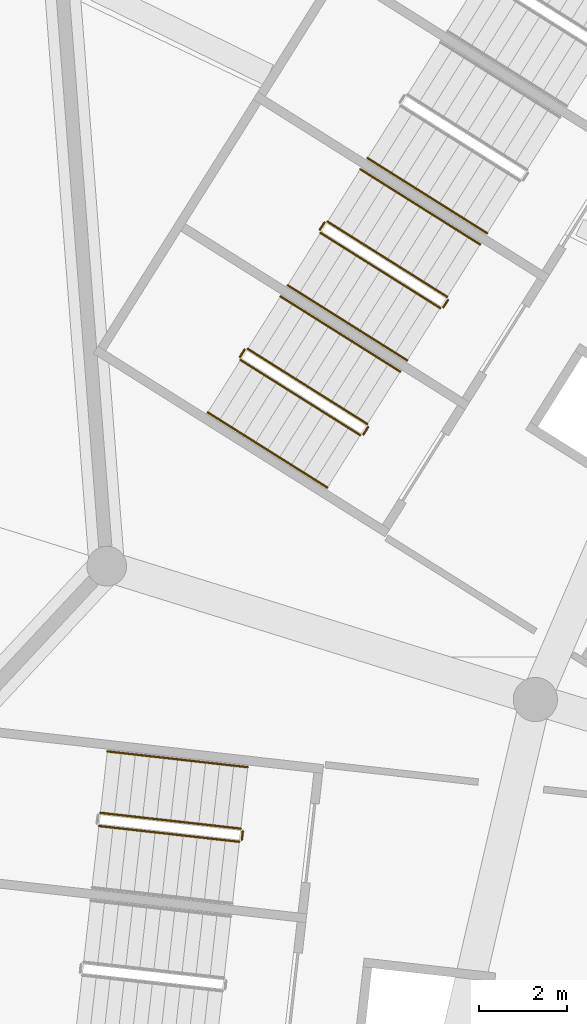
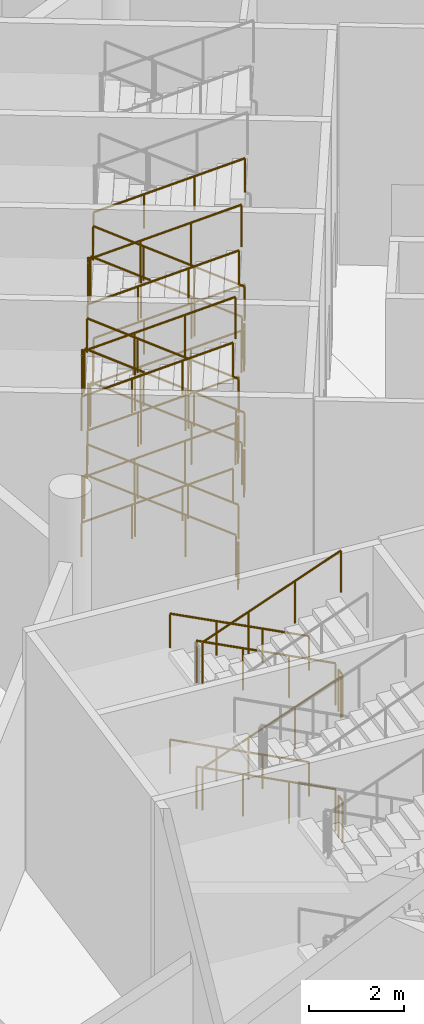
# One storey, part 227 of 255: 34 railings.
"""IFC4 building model written with IfcOpenShell, lengths in metres."""

import ifcopenshell
import ifcopenshell.guid

model = None  # the IFC model being written
_history = None  # IfcOwnerHistory: only IFC2X3 demands one
_inside = {}  # id of a spatial element -> (the spatial element, [elements in it])
_under = {}  # id of a project, library or spatial element -> (it, [spatial elements below it])
_declared = {}  # id of a project -> (the project, [libraries it declares])
_typed = {}  # id of a type object -> (the type object, [elements of that type])
_made_of = {}  # id of a material, layer set ... -> (it, [elements and type objects made of it])


def new_model(schema):
    """Start an empty IFC model of exactly this schema.

    Asked for "IFC4X3", IfcOpenShell would pick the latest addendum, in which some entities
    have other attributes; the version numbers below select the first issue.
    IFC2X3 requires an IfcOwnerHistory on every rooted entity: one is made here for all.
    """
    global model, _history
    if schema == "IFC4X3":
        model = ifcopenshell.file(schema_version=(4, 3, 0, 0))
    else:
        model = ifcopenshell.file(schema=schema)
    _inside.clear()
    _under.clear()
    _declared.clear()
    _typed.clear()
    _made_of.clear()
    _history = None
    if model.schema == "IFC2X3":
        org = make("IfcOrganization", Name="unknown")
        user = make(
            "IfcPersonAndOrganization",
            ThePerson=make("IfcPerson", FamilyName="unknown"),
            TheOrganization=org,
        )
        app = make(
            "IfcApplication",
            ApplicationDeveloper=org,
            Version="unknown",
            ApplicationFullName="unknown",
            ApplicationIdentifier="unknown",
        )
        _history = make(
            "IfcOwnerHistory",
            OwningUser=user,
            OwningApplication=app,
            ChangeAction="ADDED",
            CreationDate=0,
        )
    return model


def make(cls, **values):
    """One entity of the class cls with the attributes given. An attribute that is None is left unset."""
    return model.create_entity(
        cls, **{name: value for name, value in values.items() if value is not None}
    )


def rooted(cls, **values):
    """An entity with a GlobalId (a new one), such as an element, a storey or a relation."""
    return make(cls, GlobalId=ifcopenshell.guid.new(), OwnerHistory=_history, **values)


def si_unit(unit_type, name, prefix=None):
    """IfcSIUnit, for example si_unit("LENGTHUNIT", "METRE", prefix="MILLI")."""
    return make("IfcSIUnit", UnitType=unit_type, Prefix=prefix, Name=name)


def assignment(units):
    """IfcUnitAssignment: the units of a project."""
    return None if units is None else make("IfcUnitAssignment", Units=units)


def point(xyz):
    """IfcCartesianPoint."""
    return None if xyz is None else make("IfcCartesianPoint", Coordinates=xyz)


def direction(xyz):
    """IfcDirection."""
    return None if xyz is None else make("IfcDirection", DirectionRatios=xyz)


def frame(location, z_axis=None, x_axis=None):
    """IfcAxis2Placement3D, a coordinate frame: its origin and axes. An axis left out is left unset."""
    return make(
        "IfcAxis2Placement3D",
        Location=point(location),
        Axis=direction(z_axis),
        RefDirection=direction(x_axis),
    )


def frame_2d(location, x_axis=None):
    """IfcAxis2Placement2D, a coordinate frame in the plane: its origin and x axis."""
    return make(
        "IfcAxis2Placement2D", Location=point(location), RefDirection=direction(x_axis)
    )


def origin():
    """The frame at (0, 0, 0) with its axes left unset."""
    return frame((0.0, 0.0, 0.0))


def origin_2d():
    """The frame at (0, 0) in the plane with its x axis left unset."""
    return frame_2d((0.0, 0.0))


def place(relative_to, where):
    """IfcLocalPlacement: puts the frame where relative to a parent placement (None: the world)."""
    return make(
        "IfcLocalPlacement", PlacementRelTo=relative_to, RelativePlacement=where
    )


def context(
    kind, dimensions, precision=None, world=None, true_north=None, identifier=None
):
    """IfcGeometricRepresentationContext, for example the 3D "Model" context."""
    return make(
        "IfcGeometricRepresentationContext",
        ContextIdentifier=identifier,
        ContextType=kind,
        CoordinateSpaceDimension=dimensions,
        Precision=precision,
        WorldCoordinateSystem=world,
        TrueNorth=true_north,
    )


def subcontext(parent, identifier, kind, view, scale=None):
    """IfcGeometricRepresentationSubContext, for example "Body" below "Model"."""
    return make(
        "IfcGeometricRepresentationSubContext",
        ContextIdentifier=identifier,
        ContextType=kind,
        ParentContext=parent,
        TargetScale=scale,
        TargetView=view,
    )


def project(units=None, contexts=None):
    """IfcProject with its units and contexts."""
    return rooted(
        "IfcProject",
        Name="project",
        RepresentationContexts=contexts,
        UnitsInContext=assignment(units),
    )


def spatial(cls, under=None, at=None, **own):
    """A site, building, storey or space (cls), placed at a placement, below another one or the project."""
    s = rooted(cls, ObjectPlacement=at, **own)
    if under is not None:
        _under.setdefault(under.id(), (under, []))[1].append(s)
    return s


def profile(cls, at=None, kind="AREA", **sizes):
    """A parametric profile (cls). Its sizes go by their IFC names, for example OverallWidth=200.0."""
    return make(cls, ProfileType=kind, Position=at, **sizes)


def circle(**sizes):
    """IfcCircleProfileDef."""
    return profile("IfcCircleProfileDef", **sizes)


def extrude(swept, where, along, depth):
    """IfcExtrudedAreaSolid: the profile swept, set in the frame where, extruded along a direction by depth."""
    return make(
        "IfcExtrudedAreaSolid",
        SweptArea=swept,
        Position=where,
        ExtrudedDirection=direction(along),
        Depth=depth,
    )


def shape(context_of_items, identifier, shape_type, items):
    """IfcShapeRepresentation: the items that make up one representation, for example the "Body"."""
    return make(
        "IfcShapeRepresentation",
        ContextOfItems=context_of_items,
        RepresentationIdentifier=identifier,
        RepresentationType=shape_type,
        Items=items,
    )


def material(Name=None, Category=None):
    """IfcMaterial."""
    return make("IfcMaterial", Name=Name, Category=Category)


def made_of(thing, what):
    """Note that an element or type object is made of a material, layer set ...; save() writes the relation."""
    if what is not None:
        _made_of.setdefault(what.id(), (what, []))[1].append(thing)
    return thing


def type_object(cls, material=None, **own):
    """A type object (cls), such as IfcWallType, which elements share."""
    return made_of(rooted(cls, **own), material)


def element(
    cls,
    number,
    at=None,
    inside=None,
    cuts=None,
    type_object=None,
    material=None,
    context=None,
    identifier="Body",
    shape_type=None,
    held_by="IfcProductDefinitionShape",
    body=None,
    shapes=None,
    **own,
):
    """One element of the class cls, such as IfcWall. Its Tag is "e" and its number.

    at: its placement. inside: the storey or other place that contains it. cuts: it is an
    opening in that element (IfcRelVoidsElement). A single representation is given by context,
    identifier, shape_type and body (its items); several are given by shapes. held_by: the class
    of the entity that holds the representations. save() writes the other relations.
    """
    e = rooted(cls, Tag="e%d" % number, ObjectPlacement=at, **own)
    if body is not None:
        shapes = [shape(context, identifier, shape_type, body)]
    if shapes is not None:
        e.Representation = make(held_by, Representations=shapes)
    if inside is not None:
        _inside.setdefault(inside.id(), (inside, []))[1].append(e)
    if cuts is not None:
        rooted(
            "IfcRelVoidsElement", RelatingBuildingElement=cuts, RelatedOpeningElement=e
        )
    if type_object is not None:
        _typed.setdefault(type_object.id(), (type_object, []))[1].append(e)
    return made_of(e, material)


def aggregate(whole, parts):
    """IfcRelAggregates: a whole, such as a stair, and the parts it consists of."""
    return rooted("IfcRelAggregates", RelatingObject=whole, RelatedObjects=parts)


def save(model, path):
    """Write the relations noted so far, then the file.

    IfcRelAggregates (storeys below a building ...), IfcRelContainedInSpatialStructure (elements
    in a storey), IfcRelDefinesByType, IfcRelAssociatesMaterial and IfcRelDeclares: one each for
    every whole, place, type object, material and project.
    """
    for whole, parts in _under.values():
        aggregate(whole, parts)
    for where, things in _inside.values():
        rooted(
            "IfcRelContainedInSpatialStructure",
            RelatedElements=things,
            RelatingStructure=where,
        )
    for kind, things in _typed.values():
        rooted("IfcRelDefinesByType", RelatedObjects=things, RelatingType=kind)
    for what, things in _made_of.values():
        rooted("IfcRelAssociatesMaterial", RelatedObjects=things, RelatingMaterial=what)
    for by, libraries in _declared.values():
        rooted("IfcRelDeclares", RelatingContext=by, RelatedDefinitions=libraries)
    model.write(path)


model = new_model("IFC4")

# Units and contexts
model_context = context("Model", 3, precision=1e-05, world=origin(), true_north=direction((0.0, 1.0)))
body_context = subcontext(model_context, "Body", "Model", "MODEL_VIEW")
ifc_project = project(units=[si_unit("LENGTHUNIT", "METRE"), si_unit("AREAUNIT", "SQUARE_METRE"), si_unit("VOLUMEUNIT", "CUBIC_METRE"), si_unit("PLANEANGLEUNIT", "RADIAN"), si_unit("MASSUNIT", "GRAM", prefix="KILO")], contexts=[model_context])

# Site, building, storey
site_placement = place(None, origin())
site = spatial("IfcSite", under=ifc_project, at=site_placement, CompositionType="ELEMENT")
building_placement = place(site_placement, origin())
building = spatial("IfcBuilding", under=site, at=building_placement, Name="Meseta Stadium", CompositionType="ELEMENT")
storey_placement = place(building_placement, origin())
storey = spatial("IfcBuildingStorey", under=building, at=storey_placement, Name="L00", CompositionType="ELEMENT", Elevation=0.0)

# Railings
ifc_material_1 = material(Name="Steel S355", Category="steel")
railing_type_1 = type_object("IfcRailingType", Name="Stair guard 1100", PredefinedType="GUARDRAIL", material=ifc_material_1)
railing_1_placement = place(storey_placement, frame((-84.165283203125, 72.150146484375, 0.147705078125)))
element("IfcRailing", 1, at=railing_1_placement, inside=storey, type_object=railing_type_1, Name="ST55 L00 guard 1", PredefinedType="GUARDRAIL", context=body_context, shape_type="SweptSolid", body=[
    extrude(circle(Radius=0.02392578125, at=origin_2d()), frame((0.0, 0.0, 1.076171875), z_axis=(-0.768737866935, 0.483076039287, 0.419141541973), x_axis=(-0.53206841829, -0.84670136309, 0.0)), (0.0, 0.0, 1.0), 3.524658203125),
    extrude(circle(Radius=0.02099609375, at=origin_2d()), origin(), (0.0, 0.0, 1.0), 1.052001953125),
    extrude(circle(Radius=0.02099609375, at=origin_2d()), frame((-0.903076171875, 0.567626953125, 0.492431640625)), (0.0, 0.0, 1.0), 1.052001953125),
    extrude(circle(Radius=0.02099609375, at=origin_2d()), frame((-1.806396484375, 1.135009765625, 0.98486328125)), (0.0, 0.0, 1.0), 1.052001953125),
    extrude(circle(Radius=0.02099609375, at=origin_2d()), frame((-2.70947265625, 1.70263671875, 1.477294921875)), (0.0, 0.0, 1.0), 1.052001953125),
])
railing_2_placement = place(storey_placement, frame((-86.943603515625, 73.8369140625, 1.625)))
element("IfcRailing", 2, at=railing_2_placement, inside=storey, type_object=railing_type_1, Name="ST55 L00 guard 2", PredefinedType="GUARDRAIL", context=body_context, shape_type="SweptSolid", body=[
    extrude(circle(Radius=0.02392578125, at=origin_2d()), frame((0.0, 0.0, 1.076171875), z_axis=(-0.532521690573, -0.846416356806, 0.0), x_axis=(0.846416356806, -0.532521690573, 0.0)), (0.0, 0.0, 1.0), 0.199951171875),
    extrude(circle(Radius=0.02099609375, at=origin_2d()), origin(), (0.0, 0.0, 1.0), 1.052001953125),
    extrude(circle(Radius=0.02099609375, at=origin_2d()), frame((-0.1064453125, -0.169189453125, 0.0)), (0.0, 0.0, 1.0), 1.052001953125),
])
railing_3_placement = place(storey_placement, frame((-87.034423828125, 73.5986328125, 1.772705078125)))
element("IfcRailing", 3, at=railing_3_placement, inside=storey, type_object=railing_type_1, Name="ST55 L00 guard 3", PredefinedType="GUARDRAIL", context=body_context, shape_type="SweptSolid", body=[
    extrude(circle(Radius=0.02392578125, at=origin_2d()), frame((0.0, 0.0, 1.076171875), z_axis=(0.768791919252, -0.482997211726, 0.419133246544), x_axis=(0.531979352387, 0.846757325705, 0.0)), (0.0, 0.0, 1.0), 3.524658203125),
    extrude(circle(Radius=0.02099609375, at=origin_2d()), origin(), (0.0, 0.0, 1.0), 1.052001953125),
    extrude(circle(Radius=0.02099609375, at=origin_2d()), frame((0.9033203125, -0.5673828125, 0.492431640625)), (0.0, 0.0, 1.0), 1.052001953125),
    extrude(circle(Radius=0.02099609375, at=origin_2d()), frame((1.806396484375, -1.135009765625, 0.98486328125)), (0.0, 0.0, 1.0), 1.052001953125),
    extrude(circle(Radius=0.02099609375, at=origin_2d()), frame((2.709716796875, -1.702392578125, 1.477294921875)), (0.0, 0.0, 1.0), 1.052001953125),
])
railing_4_placement = place(storey_placement, frame((-84.1494140625, 72.081298828125, 3.25)))
element("IfcRailing", 4, at=railing_4_placement, inside=storey, type_object=railing_type_1, Name="ST55 L00 guard 4", PredefinedType="GUARDRAIL", context=body_context, shape_type="SweptSolid", body=[
    extrude(circle(Radius=0.02392578125, at=origin_2d()), frame((0.0, 0.0, 1.076171875), z_axis=(-0.531971628011, -0.846762178531, 0.0), x_axis=(0.846762178531, -0.531971628011, 0.0)), (0.0, 0.0, 1.0), 0.2001953125),
    extrude(circle(Radius=0.02099609375, at=origin_2d()), origin(), (0.0, 0.0, 1.0), 1.052001953125),
    extrude(circle(Radius=0.02099609375, at=origin_2d()), frame((-0.1064453125, -0.16943359375, 0.0)), (0.0, 0.0, 1.0), 1.052001953125),
])
railing_5_placement = place(storey_placement, frame((-84.165283203125, 72.150146484375, 3.397705078125)))
element("IfcRailing", 5, at=railing_5_placement, inside=storey, type_object=railing_type_1, Name="ST55 L00 guard 5", PredefinedType="GUARDRAIL", context=body_context, shape_type="SweptSolid", body=[
    extrude(circle(Radius=0.02392578125, at=origin_2d()), frame((0.0, 0.0, 1.076171875), z_axis=(-0.768737866935, 0.483076039287, 0.419141541973), x_axis=(-0.53206841829, -0.84670136309, 0.0)), (0.0, 0.0, 1.0), 3.524658203125),
    extrude(circle(Radius=0.02099609375, at=origin_2d()), origin(), (0.0, 0.0, 1.0), 1.052001953125),
    extrude(circle(Radius=0.02099609375, at=origin_2d()), frame((-0.903076171875, 0.567626953125, 0.492431640625)), (0.0, 0.0, 1.0), 1.052001953125),
    extrude(circle(Radius=0.02099609375, at=origin_2d()), frame((-1.806396484375, 1.135009765625, 0.98486328125)), (0.0, 0.0, 1.0), 1.052001953125),
    extrude(circle(Radius=0.02099609375, at=origin_2d()), frame((-2.70947265625, 1.70263671875, 1.477294921875)), (0.0, 0.0, 1.0), 1.052001953125),
])
railing_6_placement = place(storey_placement, frame((-86.943603515625, 73.8369140625, 4.875)))
element("IfcRailing", 6, at=railing_6_placement, inside=storey, type_object=railing_type_1, Name="ST55 L00 guard 6", PredefinedType="GUARDRAIL", context=body_context, shape_type="SweptSolid", body=[
    extrude(circle(Radius=0.02392578125, at=origin_2d()), frame((0.0, 0.0, 1.076171875), z_axis=(-0.532521690573, -0.846416356806, 0.0), x_axis=(0.846416356806, -0.532521690573, 0.0)), (0.0, 0.0, 1.0), 0.199951171875),
    extrude(circle(Radius=0.02099609375, at=origin_2d()), origin(), (0.0, 0.0, 1.0), 1.052001953125),
    extrude(circle(Radius=0.02099609375, at=origin_2d()), frame((-0.1064453125, -0.169189453125, 0.0)), (0.0, 0.0, 1.0), 1.052001953125),
])
railing_7_placement = place(storey_placement, frame((-87.034423828125, 73.5986328125, 5.022705078125)))
element("IfcRailing", 7, at=railing_7_placement, inside=storey, type_object=railing_type_1, Name="ST55 L00 guard 7", PredefinedType="GUARDRAIL", context=body_context, shape_type="SweptSolid", body=[
    extrude(circle(Radius=0.02392578125, at=origin_2d()), frame((0.0, 0.0, 1.076171875), z_axis=(0.768791919252, -0.482997211726, 0.419133246544), x_axis=(0.531979352387, 0.846757325705, 0.0)), (0.0, 0.0, 1.0), 3.524658203125),
    extrude(circle(Radius=0.02099609375, at=origin_2d()), origin(), (0.0, 0.0, 1.0), 1.052001953125),
    extrude(circle(Radius=0.02099609375, at=origin_2d()), frame((0.9033203125, -0.5673828125, 0.492431640625)), (0.0, 0.0, 1.0), 1.052001953125),
    extrude(circle(Radius=0.02099609375, at=origin_2d()), frame((1.806396484375, -1.135009765625, 0.98486328125)), (0.0, 0.0, 1.0), 1.052001953125),
    extrude(circle(Radius=0.02099609375, at=origin_2d()), frame((2.709716796875, -1.702392578125, 1.477294921875)), (0.0, 0.0, 1.0), 1.052001953125),
])
railing_8_placement = place(storey_placement, frame((-84.1494140625, 72.081298828125, 0.0)))
element("IfcRailing", 8, at=railing_8_placement, inside=storey, type_object=railing_type_1, Name="ST55 L00 guard 8", PredefinedType="GUARDRAIL", context=body_context, shape_type="SweptSolid", body=[
    extrude(circle(Radius=0.02392578125, at=origin_2d()), frame((0.0, 0.0, 1.076171875), z_axis=(-0.531971628011, -0.846762178531, 0.0), x_axis=(0.846762178531, -0.531971628011, 0.0)), (0.0, 0.0, 1.0), 0.2001953125),
    extrude(circle(Radius=0.02099609375, at=origin_2d()), origin(), (0.0, 0.0, 1.0), 1.052001953125),
    extrude(circle(Radius=0.02099609375, at=origin_2d()), frame((-0.1064453125, -0.16943359375, 0.0)), (0.0, 0.0, 1.0), 1.052001953125),
])
railing_9_placement = place(storey_placement, frame((-85.97412109375, 69.271240234375, 0.147705078125)))
element("IfcRailing", 9, at=railing_9_placement, inside=storey, type_object=railing_type_1, Name="ST56 L00 guard 1", PredefinedType="GUARDRAIL", context=body_context, shape_type="SweptSolid", body=[
    extrude(circle(Radius=0.02392578125, at=origin_2d()), frame((0.0, 0.0, 1.076171875), z_axis=(-0.768737866935, 0.483076039287, 0.419141541973), x_axis=(-0.53206841829, -0.84670136309, 0.0)), (0.0, 0.0, 1.0), 3.524658203125),
    extrude(circle(Radius=0.02099609375, at=origin_2d()), origin(), (0.0, 0.0, 1.0), 1.052001953125),
    extrude(circle(Radius=0.02099609375, at=origin_2d()), frame((-0.903076171875, 0.567626953125, 0.492431640625)), (0.0, 0.0, 1.0), 1.052001953125),
    extrude(circle(Radius=0.02099609375, at=origin_2d()), frame((-1.806396484375, 1.135009765625, 0.98486328125)), (0.0, 0.0, 1.0), 1.052001953125),
    extrude(circle(Radius=0.02099609375, at=origin_2d()), frame((-2.70947265625, 1.70263671875, 1.477294921875)), (0.0, 0.0, 1.0), 1.052001953125),
])
railing_10_placement = place(storey_placement, frame((-88.75244140625, 70.9580078125, 1.625)))
element("IfcRailing", 10, at=railing_10_placement, inside=storey, type_object=railing_type_1, Name="ST56 L00 guard 2", PredefinedType="GUARDRAIL", context=body_context, shape_type="SweptSolid", body=[
    extrude(circle(Radius=0.02392578125, at=origin_2d()), frame((0.0, 0.0, 1.076171875), z_axis=(-0.532521690573, -0.846416356806, 0.0), x_axis=(0.846416356806, -0.532521690573, 0.0)), (0.0, 0.0, 1.0), 0.199951171875),
    extrude(circle(Radius=0.02099609375, at=origin_2d()), origin(), (0.0, 0.0, 1.0), 1.052001953125),
    extrude(circle(Radius=0.02099609375, at=origin_2d()), frame((-0.1064453125, -0.169189453125, 0.0)), (0.0, 0.0, 1.0), 1.052001953125),
])
railing_11_placement = place(storey_placement, frame((-88.84326171875, 70.7197265625, 1.772705078125)))
element("IfcRailing", 11, at=railing_11_placement, inside=storey, type_object=railing_type_1, Name="ST56 L00 guard 3", PredefinedType="GUARDRAIL", context=body_context, shape_type="SweptSolid", body=[
    extrude(circle(Radius=0.02392578125, at=origin_2d()), frame((0.0, 0.0, 1.076171875), z_axis=(0.76876358972, -0.483022933061, 0.419155566894), x_axis=(0.532013720158, 0.846735733015, 0.0)), (0.0, 0.0, 1.0), 3.5244140625),
    extrude(circle(Radius=0.02099609375, at=origin_2d()), origin(), (0.0, 0.0, 1.0), 1.052001953125),
    extrude(circle(Radius=0.02099609375, at=origin_2d()), frame((0.903076171875, -0.5673828125, 0.492431640625)), (0.0, 0.0, 1.0), 1.052001953125),
    extrude(circle(Radius=0.02099609375, at=origin_2d()), frame((1.806396484375, -1.135009765625, 0.98486328125)), (0.0, 0.0, 1.0), 1.052001953125),
    extrude(circle(Radius=0.02099609375, at=origin_2d()), frame((2.70947265625, -1.702392578125, 1.477294921875)), (0.0, 0.0, 1.0), 1.052001953125),
])
railing_12_placement = place(storey_placement, frame((-85.958251953125, 69.202392578125, 3.25)))
element("IfcRailing", 12, at=railing_12_placement, inside=storey, type_object=railing_type_1, Name="ST56 L00 guard 4", PredefinedType="GUARDRAIL", context=body_context, shape_type="SweptSolid", body=[
    extrude(circle(Radius=0.02392578125, at=origin_2d()), frame((0.0, 0.0, 1.076171875), z_axis=(-0.531971628011, -0.846762178531, 0.0), x_axis=(0.846762178531, -0.531971628011, 0.0)), (0.0, 0.0, 1.0), 0.2001953125),
    extrude(circle(Radius=0.02099609375, at=origin_2d()), origin(), (0.0, 0.0, 1.0), 1.052001953125),
    extrude(circle(Radius=0.02099609375, at=origin_2d()), frame((-0.1064453125, -0.16943359375, 0.0)), (0.0, 0.0, 1.0), 1.052001953125),
])
railing_13_placement = place(storey_placement, frame((-85.97412109375, 69.271240234375, 3.397705078125)))
element("IfcRailing", 13, at=railing_13_placement, inside=storey, type_object=railing_type_1, Name="ST56 L00 guard 5", PredefinedType="GUARDRAIL", context=body_context, shape_type="SweptSolid", body=[
    extrude(circle(Radius=0.02392578125, at=origin_2d()), frame((0.0, 0.0, 1.076171875), z_axis=(-0.768737866935, 0.483076039287, 0.419141541973), x_axis=(-0.53206841829, -0.84670136309, 0.0)), (0.0, 0.0, 1.0), 3.524658203125),
    extrude(circle(Radius=0.02099609375, at=origin_2d()), origin(), (0.0, 0.0, 1.0), 1.052001953125),
    extrude(circle(Radius=0.02099609375, at=origin_2d()), frame((-0.903076171875, 0.567626953125, 0.492431640625)), (0.0, 0.0, 1.0), 1.052001953125),
    extrude(circle(Radius=0.02099609375, at=origin_2d()), frame((-1.806396484375, 1.135009765625, 0.98486328125)), (0.0, 0.0, 1.0), 1.052001953125),
    extrude(circle(Radius=0.02099609375, at=origin_2d()), frame((-2.70947265625, 1.70263671875, 1.477294921875)), (0.0, 0.0, 1.0), 1.052001953125),
])
railing_14_placement = place(storey_placement, frame((-88.75244140625, 70.9580078125, 4.875)))
element("IfcRailing", 14, at=railing_14_placement, inside=storey, type_object=railing_type_1, Name="ST56 L00 guard 6", PredefinedType="GUARDRAIL", context=body_context, shape_type="SweptSolid", body=[
    extrude(circle(Radius=0.02392578125, at=origin_2d()), frame((0.0, 0.0, 1.076171875), z_axis=(-0.532521690573, -0.846416356806, 0.0), x_axis=(0.846416356806, -0.532521690573, 0.0)), (0.0, 0.0, 1.0), 0.199951171875),
    extrude(circle(Radius=0.02099609375, at=origin_2d()), origin(), (0.0, 0.0, 1.0), 1.052001953125),
    extrude(circle(Radius=0.02099609375, at=origin_2d()), frame((-0.1064453125, -0.169189453125, 0.0)), (0.0, 0.0, 1.0), 1.052001953125),
])
railing_15_placement = place(storey_placement, frame((-88.84326171875, 70.7197265625, 5.022705078125)))
element("IfcRailing", 15, at=railing_15_placement, inside=storey, type_object=railing_type_1, Name="ST56 L00 guard 7", PredefinedType="GUARDRAIL", context=body_context, shape_type="SweptSolid", body=[
    extrude(circle(Radius=0.02392578125, at=origin_2d()), frame((0.0, 0.0, 1.076171875), z_axis=(0.76876358972, -0.483022933061, 0.419155566894), x_axis=(0.532013720158, 0.846735733015, 0.0)), (0.0, 0.0, 1.0), 3.5244140625),
    extrude(circle(Radius=0.02099609375, at=origin_2d()), origin(), (0.0, 0.0, 1.0), 1.052001953125),
    extrude(circle(Radius=0.02099609375, at=origin_2d()), frame((0.903076171875, -0.5673828125, 0.492431640625)), (0.0, 0.0, 1.0), 1.052001953125),
    extrude(circle(Radius=0.02099609375, at=origin_2d()), frame((1.806396484375, -1.135009765625, 0.98486328125)), (0.0, 0.0, 1.0), 1.052001953125),
    extrude(circle(Radius=0.02099609375, at=origin_2d()), frame((2.70947265625, -1.702392578125, 1.477294921875)), (0.0, 0.0, 1.0), 1.052001953125),
])
railing_16_placement = place(storey_placement, frame((-85.958251953125, 69.202392578125, 0.0)))
element("IfcRailing", 16, at=railing_16_placement, inside=storey, type_object=railing_type_1, Name="ST56 L00 guard 8", PredefinedType="GUARDRAIL", context=body_context, shape_type="SweptSolid", body=[
    extrude(circle(Radius=0.02392578125, at=origin_2d()), frame((0.0, 0.0, 1.076171875), z_axis=(-0.531971628011, -0.846762178531, 0.0), x_axis=(0.846762178531, -0.531971628011, 0.0)), (0.0, 0.0, 1.0), 0.2001953125),
    extrude(circle(Radius=0.02099609375, at=origin_2d()), origin(), (0.0, 0.0, 1.0), 1.052001953125),
    extrude(circle(Radius=0.02099609375, at=origin_2d()), frame((-0.1064453125, -0.16943359375, 0.0)), (0.0, 0.0, 1.0), 1.052001953125),
])
railing_17_placement = place(storey_placement, frame((-88.83740234375, 60.10986328125, 0.147705078125)))
element("IfcRailing", 17, at=railing_17_placement, inside=storey, type_object=railing_type_1, Name="ST57 L00 guard 1", PredefinedType="GUARDRAIL", context=body_context, shape_type="SweptSolid", body=[
    extrude(circle(Radius=0.02392578125, at=origin_2d()), frame((0.0, 0.0, 1.076171875), z_axis=(-0.902216641888, 0.101616262084, 0.419141105571), x_axis=(-0.11192190762, -0.993717005286, 0.0)), (0.0, 0.0, 1.0), 3.524658203125),
    extrude(circle(Radius=0.02099609375, at=origin_2d()), origin(), (0.0, 0.0, 1.0), 1.052001953125),
    extrude(circle(Radius=0.02099609375, at=origin_2d()), frame((-1.06005859375, 0.119384765625, 0.492431640625)), (0.0, 0.0, 1.0), 1.052001953125),
    extrude(circle(Radius=0.02099609375, at=origin_2d()), frame((-2.119873046875, 0.23876953125, 0.98486328125)), (0.0, 0.0, 1.0), 1.052001953125),
    extrude(circle(Radius=0.02099609375, at=origin_2d()), frame((-3.179931640625, 0.358154296875, 1.477294921875)), (0.0, 0.0, 1.0), 1.052001953125),
])
railing_18_placement = place(storey_placement, frame((-92.05078125, 60.169921875, 1.772705078125)))
element("IfcRailing", 18, at=railing_18_placement, inside=storey, type_object=railing_type_1, Name="ST57 L00 guard 3", PredefinedType="GUARDRAIL", context=body_context, shape_type="SweptSolid", body=[
    extrude(circle(Radius=0.02392578125, at=origin_2d()), frame((0.0, 0.0, 1.076171875), z_axis=(0.902203756464, -0.101622612925, 0.419167301164), x_axis=(0.111930393474, 0.993716049491, 0.0)), (0.0, 0.0, 1.0), 3.5244140625),
    extrude(circle(Radius=0.02099609375, at=origin_2d()), origin(), (0.0, 0.0, 1.0), 1.052001953125),
    extrude(circle(Radius=0.02099609375, at=origin_2d()), frame((1.059814453125, -0.119384765625, 0.492431640625)), (0.0, 0.0, 1.0), 1.052001953125),
    extrude(circle(Radius=0.02099609375, at=origin_2d()), frame((2.119873046875, -0.23876953125, 0.98486328125)), (0.0, 0.0, 1.0), 1.052001953125),
    extrude(circle(Radius=0.02099609375, at=origin_2d()), frame((3.1796875, -0.358154296875, 1.477294921875)), (0.0, 0.0, 1.0), 1.052001953125),
])
railing_19_placement = place(storey_placement, frame((-88.793212890625, 60.054443359375, 3.25)))
element("IfcRailing", 19, at=railing_19_placement, inside=storey, type_object=railing_type_1, Name="ST57 L00 guard 4", PredefinedType="GUARDRAIL", context=body_context, shape_type="SweptSolid", body=[
    extrude(circle(Radius=0.02392578125, at=origin_2d()), frame((0.0, 0.0, 1.076171875), z_axis=(-0.112307083986, -0.993673547442, 0.0), x_axis=(0.993673547442, -0.112307083986, 0.0)), (0.0, 0.0, 1.0), 0.199951171875),
    extrude(circle(Radius=0.02099609375, at=origin_2d()), origin(), (0.0, 0.0, 1.0), 1.052001953125),
    extrude(circle(Radius=0.02099609375, at=origin_2d()), frame((-0.0224609375, -0.19873046875, 0.0)), (0.0, 0.0, 1.0), 1.052001953125),
])
railing_20_placement = place(storey_placement, frame((-88.83740234375, 60.10986328125, 3.397705078125)))
element("IfcRailing", 20, at=railing_20_placement, inside=storey, type_object=railing_type_1, Name="ST57 L00 guard 5", PredefinedType="GUARDRAIL", context=body_context, shape_type="SweptSolid", body=[
    extrude(circle(Radius=0.02392578125, at=origin_2d()), frame((0.0, 0.0, 1.076171875), z_axis=(-0.902216641888, 0.101616262084, 0.419141105571), x_axis=(-0.11192190762, -0.993717005286, 0.0)), (0.0, 0.0, 1.0), 3.524658203125),
    extrude(circle(Radius=0.02099609375, at=origin_2d()), origin(), (0.0, 0.0, 1.0), 1.052001953125),
    extrude(circle(Radius=0.02099609375, at=origin_2d()), frame((-1.06005859375, 0.119384765625, 0.492431640625)), (0.0, 0.0, 1.0), 1.052001953125),
    extrude(circle(Radius=0.02099609375, at=origin_2d()), frame((-2.119873046875, 0.23876953125, 0.98486328125)), (0.0, 0.0, 1.0), 1.052001953125),
    extrude(circle(Radius=0.02099609375, at=origin_2d()), frame((-3.179931640625, 0.358154296875, 1.477294921875)), (0.0, 0.0, 1.0), 1.052001953125),
])
railing_21_placement = place(storey_placement, frame((-92.05078125, 60.169921875, 5.022705078125)))
element("IfcRailing", 21, at=railing_21_placement, inside=storey, type_object=railing_type_1, Name="ST57 L00 guard 7", PredefinedType="GUARDRAIL", context=body_context, shape_type="SweptSolid", body=[
    extrude(circle(Radius=0.02392578125, at=origin_2d()), frame((0.0, 0.0, 1.076171875), z_axis=(0.902203756464, -0.101622612925, 0.419167301164), x_axis=(0.111930393474, 0.993716049491, 0.0)), (0.0, 0.0, 1.0), 3.5244140625),
    extrude(circle(Radius=0.02099609375, at=origin_2d()), origin(), (0.0, 0.0, 1.0), 1.052001953125),
    extrude(circle(Radius=0.02099609375, at=origin_2d()), frame((1.059814453125, -0.119384765625, 0.492431640625)), (0.0, 0.0, 1.0), 1.052001953125),
    extrude(circle(Radius=0.02099609375, at=origin_2d()), frame((2.119873046875, -0.23876953125, 0.98486328125)), (0.0, 0.0, 1.0), 1.052001953125),
    extrude(circle(Radius=0.02099609375, at=origin_2d()), frame((3.1796875, -0.358154296875, 1.477294921875)), (0.0, 0.0, 1.0), 1.052001953125),
])
railing_22_placement = place(storey_placement, frame((-88.793212890625, 60.054443359375, 0.0)))
element("IfcRailing", 22, at=railing_22_placement, inside=storey, type_object=railing_type_1, Name="ST57 L00 guard 8", PredefinedType="GUARDRAIL", context=body_context, shape_type="SweptSolid", body=[
    extrude(circle(Radius=0.02392578125, at=origin_2d()), frame((0.0, 0.0, 1.076171875), z_axis=(-0.112307083986, -0.993673547442, 0.0), x_axis=(0.993673547442, -0.112307083986, 0.0)), (0.0, 0.0, 1.0), 0.199951171875),
    extrude(circle(Radius=0.02099609375, at=origin_2d()), origin(), (0.0, 0.0, 1.0), 1.052001953125),
    extrude(circle(Radius=0.02099609375, at=origin_2d()), frame((-0.0224609375, -0.19873046875, 0.0)), (0.0, 0.0, 1.0), 1.052001953125),
])
ifc_material_2 = material(Name="Steel S355", Category="steel")
railing_type_2 = type_object("IfcRailingType", Name="Stair handrail 900", PredefinedType="HANDRAIL", material=ifc_material_2)
for number, where, name in (
    (23, (-85.97021484375, 75.292236328125, 1.772705078125), "ST54 L00 handrail 2"),
    (24, (-85.97021484375, 75.292236328125, 5.022705078125), "ST54 L00 handrail 4"),
):
    element("IfcRailing", number, at=place(storey_placement, frame(where)), inside=storey, type_object=railing_type_2, Name=name, PredefinedType="HANDRAIL", context=body_context, shape_type="SweptSolid", body=[
        extrude(circle(Radius=0.02392578125, at=origin_2d()), frame((0.0, 0.0, 0.8759765625), z_axis=(0.768737866935, -0.483076039287, 0.419141541973), x_axis=(0.53206841829, 0.84670136309, 0.0)), (0.0, 0.0, 1.0), 3.524658203125),
        extrude(circle(Radius=0.02099609375, at=origin_2d()), origin(), (0.0, 0.0, 1.0), 0.851806640625),
        extrude(circle(Radius=0.02099609375, at=origin_2d()), frame((0.903076171875, -0.567626953125, 0.492431640625)), (0.0, 0.0, 1.0), 0.851806640625),
        extrude(circle(Radius=0.02099609375, at=origin_2d()), frame((1.806396484375, -1.135009765625, 0.98486328125)), (0.0, 0.0, 1.0), 0.851806640625),
        extrude(circle(Radius=0.02099609375, at=origin_2d()), frame((2.70947265625, -1.70263671875, 1.477294921875)), (0.0, 0.0, 1.0), 0.851806640625),
    ])
railing_23_placement = place(storey_placement, frame((-83.42041015625, 73.335693359375, 0.147705078125)))
element("IfcRailing", 25, at=railing_23_placement, inside=storey, type_object=railing_type_2, Name="ST55 L00 handrail 1", PredefinedType="HANDRAIL", context=body_context, shape_type="SweptSolid", body=[
    extrude(circle(Radius=0.02392578125, at=origin_2d()), frame((0.0, 0.0, 0.8759765625), z_axis=(-0.76876358972, 0.483022933061, 0.419155566894), x_axis=(-0.532013720158, -0.846735733015, 0.0)), (0.0, 0.0, 1.0), 3.5244140625),
    extrude(circle(Radius=0.02099609375, at=origin_2d()), origin(), (0.0, 0.0, 1.0), 0.851806640625),
    extrude(circle(Radius=0.02099609375, at=origin_2d()), frame((-0.903076171875, 0.5673828125, 0.492431640625)), (0.0, 0.0, 1.0), 0.851806640625),
    extrude(circle(Radius=0.02099609375, at=origin_2d()), frame((-1.806396484375, 1.135009765625, 0.98486328125)), (0.0, 0.0, 1.0), 0.851806640625),
    extrude(circle(Radius=0.02099609375, at=origin_2d()), frame((-2.70947265625, 1.702392578125, 1.477294921875)), (0.0, 0.0, 1.0), 0.851806640625),
])
railing_24_placement = place(storey_placement, frame((-87.779052734375, 72.413330078125, 1.772705078125)))
element("IfcRailing", 26, at=railing_24_placement, inside=storey, type_object=railing_type_2, Name="ST55 L00 handrail 2", PredefinedType="HANDRAIL", context=body_context, shape_type="SweptSolid", body=[
    extrude(circle(Radius=0.02392578125, at=origin_2d()), frame((0.0, 0.0, 0.8759765625), z_axis=(0.768737866935, -0.483076039287, 0.419141541973), x_axis=(0.53206841829, 0.84670136309, 0.0)), (0.0, 0.0, 1.0), 3.524658203125),
    extrude(circle(Radius=0.02099609375, at=origin_2d()), origin(), (0.0, 0.0, 1.0), 0.851806640625),
    extrude(circle(Radius=0.02099609375, at=origin_2d()), frame((0.903076171875, -0.567626953125, 0.492431640625)), (0.0, 0.0, 1.0), 0.851806640625),
    extrude(circle(Radius=0.02099609375, at=origin_2d()), frame((1.806396484375, -1.135009765625, 0.98486328125)), (0.0, 0.0, 1.0), 0.851806640625),
    extrude(circle(Radius=0.02099609375, at=origin_2d()), frame((2.70947265625, -1.70263671875, 1.477294921875)), (0.0, 0.0, 1.0), 0.851806640625),
])
railing_25_placement = place(storey_placement, frame((-83.42041015625, 73.335693359375, 3.397705078125)))
element("IfcRailing", 27, at=railing_25_placement, inside=storey, type_object=railing_type_2, Name="ST55 L00 handrail 3", PredefinedType="HANDRAIL", context=body_context, shape_type="SweptSolid", body=[
    extrude(circle(Radius=0.02392578125, at=origin_2d()), frame((0.0, 0.0, 0.8759765625), z_axis=(-0.76876358972, 0.483022933061, 0.419155566894), x_axis=(-0.532013720158, -0.846735733015, 0.0)), (0.0, 0.0, 1.0), 3.5244140625),
    extrude(circle(Radius=0.02099609375, at=origin_2d()), origin(), (0.0, 0.0, 1.0), 0.851806640625),
    extrude(circle(Radius=0.02099609375, at=origin_2d()), frame((-0.903076171875, 0.5673828125, 0.492431640625)), (0.0, 0.0, 1.0), 0.851806640625),
    extrude(circle(Radius=0.02099609375, at=origin_2d()), frame((-1.806396484375, 1.135009765625, 0.98486328125)), (0.0, 0.0, 1.0), 0.851806640625),
    extrude(circle(Radius=0.02099609375, at=origin_2d()), frame((-2.70947265625, 1.702392578125, 1.477294921875)), (0.0, 0.0, 1.0), 0.851806640625),
])
railing_26_placement = place(storey_placement, frame((-87.779052734375, 72.413330078125, 5.022705078125)))
element("IfcRailing", 28, at=railing_26_placement, inside=storey, type_object=railing_type_2, Name="ST55 L00 handrail 4", PredefinedType="HANDRAIL", context=body_context, shape_type="SweptSolid", body=[
    extrude(circle(Radius=0.02392578125, at=origin_2d()), frame((0.0, 0.0, 0.8759765625), z_axis=(0.768737866935, -0.483076039287, 0.419141541973), x_axis=(0.53206841829, 0.84670136309, 0.0)), (0.0, 0.0, 1.0), 3.524658203125),
    extrude(circle(Radius=0.02099609375, at=origin_2d()), origin(), (0.0, 0.0, 1.0), 0.851806640625),
    extrude(circle(Radius=0.02099609375, at=origin_2d()), frame((0.903076171875, -0.567626953125, 0.492431640625)), (0.0, 0.0, 1.0), 0.851806640625),
    extrude(circle(Radius=0.02099609375, at=origin_2d()), frame((1.806396484375, -1.135009765625, 0.98486328125)), (0.0, 0.0, 1.0), 0.851806640625),
    extrude(circle(Radius=0.02099609375, at=origin_2d()), frame((2.70947265625, -1.70263671875, 1.477294921875)), (0.0, 0.0, 1.0), 0.851806640625),
])
railing_27_placement = place(storey_placement, frame((-85.229248046875, 70.456787109375, 0.147705078125)))
element("IfcRailing", 29, at=railing_27_placement, inside=storey, type_object=railing_type_2, Name="ST56 L00 handrail 1", PredefinedType="HANDRAIL", context=body_context, shape_type="SweptSolid", body=[
    extrude(circle(Radius=0.02392578125, at=origin_2d()), frame((0.0, 0.0, 0.8759765625), z_axis=(-0.76876358972, 0.483022933061, 0.419155566894), x_axis=(-0.532013720158, -0.846735733015, 0.0)), (0.0, 0.0, 1.0), 3.5244140625),
    extrude(circle(Radius=0.02099609375, at=origin_2d()), origin(), (0.0, 0.0, 1.0), 0.851806640625),
    extrude(circle(Radius=0.02099609375, at=origin_2d()), frame((-0.903076171875, 0.5673828125, 0.492431640625)), (0.0, 0.0, 1.0), 0.851806640625),
    extrude(circle(Radius=0.02099609375, at=origin_2d()), frame((-1.806396484375, 1.135009765625, 0.98486328125)), (0.0, 0.0, 1.0), 0.851806640625),
    extrude(circle(Radius=0.02099609375, at=origin_2d()), frame((-2.70947265625, 1.702392578125, 1.477294921875)), (0.0, 0.0, 1.0), 0.851806640625),
])
railing_28_placement = place(storey_placement, frame((-89.588134765625, 69.534423828125, 1.772705078125)))
element("IfcRailing", 30, at=railing_28_placement, inside=storey, type_object=railing_type_2, Name="ST56 L00 handrail 2", PredefinedType="HANDRAIL", context=body_context, shape_type="SweptSolid", body=[
    extrude(circle(Radius=0.02392578125, at=origin_2d()), frame((0.0, 0.0, 0.8759765625), z_axis=(0.768737866935, -0.483076039287, 0.419141541973), x_axis=(0.53206841829, 0.84670136309, 0.0)), (0.0, 0.0, 1.0), 3.524658203125),
    extrude(circle(Radius=0.02099609375, at=origin_2d()), origin(), (0.0, 0.0, 1.0), 0.851806640625),
    extrude(circle(Radius=0.02099609375, at=origin_2d()), frame((0.903076171875, -0.567626953125, 0.492431640625)), (0.0, 0.0, 1.0), 0.851806640625),
    extrude(circle(Radius=0.02099609375, at=origin_2d()), frame((1.806396484375, -1.135009765625, 0.98486328125)), (0.0, 0.0, 1.0), 0.851806640625),
    extrude(circle(Radius=0.02099609375, at=origin_2d()), frame((2.70947265625, -1.70263671875, 1.477294921875)), (0.0, 0.0, 1.0), 0.851806640625),
])
railing_29_placement = place(storey_placement, frame((-85.229248046875, 70.456787109375, 3.397705078125)))
element("IfcRailing", 31, at=railing_29_placement, inside=storey, type_object=railing_type_2, Name="ST56 L00 handrail 3", PredefinedType="HANDRAIL", context=body_context, shape_type="SweptSolid", body=[
    extrude(circle(Radius=0.02392578125, at=origin_2d()), frame((0.0, 0.0, 0.8759765625), z_axis=(-0.76876358972, 0.483022933061, 0.419155566894), x_axis=(-0.532013720158, -0.846735733015, 0.0)), (0.0, 0.0, 1.0), 3.5244140625),
    extrude(circle(Radius=0.02099609375, at=origin_2d()), origin(), (0.0, 0.0, 1.0), 0.851806640625),
    extrude(circle(Radius=0.02099609375, at=origin_2d()), frame((-0.903076171875, 0.5673828125, 0.492431640625)), (0.0, 0.0, 1.0), 0.851806640625),
    extrude(circle(Radius=0.02099609375, at=origin_2d()), frame((-1.806396484375, 1.135009765625, 0.98486328125)), (0.0, 0.0, 1.0), 0.851806640625),
    extrude(circle(Radius=0.02099609375, at=origin_2d()), frame((-2.70947265625, 1.702392578125, 1.477294921875)), (0.0, 0.0, 1.0), 0.851806640625),
])
railing_30_placement = place(storey_placement, frame((-89.588134765625, 69.534423828125, 5.022705078125)))
element("IfcRailing", 32, at=railing_30_placement, inside=storey, type_object=railing_type_2, Name="ST56 L00 handrail 4", PredefinedType="HANDRAIL", context=body_context, shape_type="SweptSolid", body=[
    extrude(circle(Radius=0.02392578125, at=origin_2d()), frame((0.0, 0.0, 0.8759765625), z_axis=(0.768737866935, -0.483076039287, 0.419141541973), x_axis=(0.53206841829, 0.84670136309, 0.0)), (0.0, 0.0, 1.0), 3.524658203125),
    extrude(circle(Radius=0.02099609375, at=origin_2d()), origin(), (0.0, 0.0, 1.0), 0.851806640625),
    extrude(circle(Radius=0.02099609375, at=origin_2d()), frame((0.903076171875, -0.567626953125, 0.492431640625)), (0.0, 0.0, 1.0), 0.851806640625),
    extrude(circle(Radius=0.02099609375, at=origin_2d()), frame((1.806396484375, -1.135009765625, 0.98486328125)), (0.0, 0.0, 1.0), 0.851806640625),
    extrude(circle(Radius=0.02099609375, at=origin_2d()), frame((2.70947265625, -1.70263671875, 1.477294921875)), (0.0, 0.0, 1.0), 0.851806640625),
])
for number, where, name in (
    (33, (-88.6806640625, 61.5009765625, 0.147705078125), "ST57 L00 handrail 1"),
    (34, (-88.6806640625, 61.5009765625, 3.397705078125), "ST57 L00 handrail 3"),
):
    element("IfcRailing", number, at=place(storey_placement, frame(where)), inside=storey, type_object=railing_type_2, Name=name, PredefinedType="HANDRAIL", context=body_context, shape_type="SweptSolid", body=[
        extrude(circle(Radius=0.02392578125, at=origin_2d()), frame((0.0, 0.0, 0.8759765625), z_axis=(-0.902210289302, 0.10168481418, 0.419138154362), x_axis=(-0.111997244021, -0.993708517288, 0.0)), (0.0, 0.0, 1.0), 3.524658203125),
        extrude(circle(Radius=0.02099609375, at=origin_2d()), origin(), (0.0, 0.0, 1.0), 0.851806640625),
        extrude(circle(Radius=0.02099609375, at=origin_2d()), frame((-1.06005859375, 0.119384765625, 0.492431640625)), (0.0, 0.0, 1.0), 0.851806640625),
        extrude(circle(Radius=0.02099609375, at=origin_2d()), frame((-2.119873046875, 0.239013671875, 0.98486328125)), (0.0, 0.0, 1.0), 0.851806640625),
        extrude(circle(Radius=0.02099609375, at=origin_2d()), frame((-3.179931640625, 0.3583984375, 1.477294921875)), (0.0, 0.0, 1.0), 0.851806640625),
    ])

save(model, "model.ifc")
